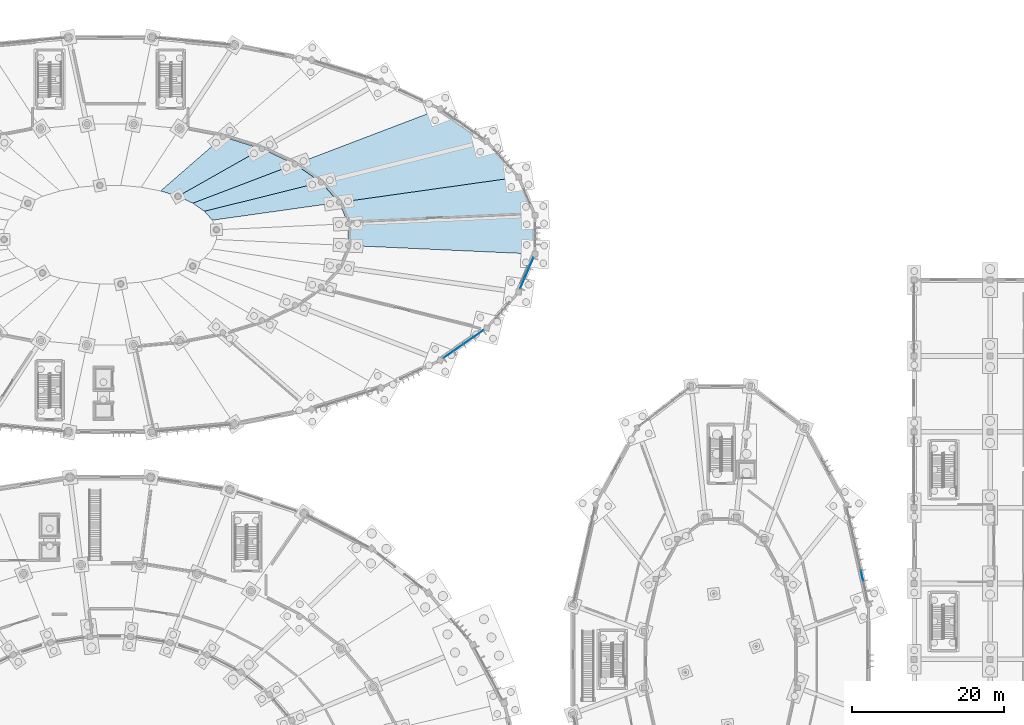
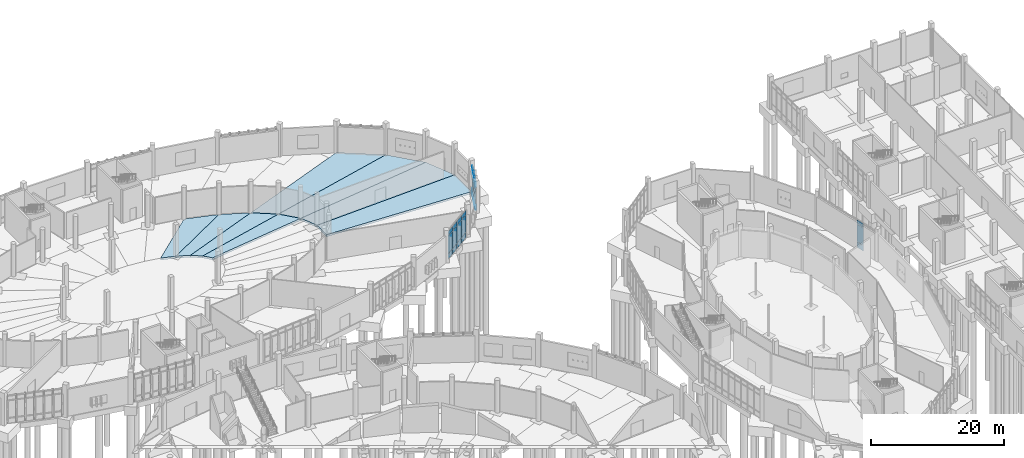
# One storey, part 69 of 140: 24 plates, 8 slabs, 3 elements without a shape of their own.
"""IFC4 building model written with IfcOpenShell, lengths in metres."""

from ifc_helpers import new_model, si_unit, direction, frame, origin, origin_2d, place, context, subcontext, project, spatial, polyline, rectangle, outline, extrude, material, layer, layer_set, type_object, element, aggregate, save


model = new_model("IFC4")

# Units and contexts
model_context = context("Model", 3, precision=1e-05, world=origin(), true_north=direction((0.0, 1.0)))
body_context = subcontext(model_context, "Body", "Model", "MODEL_VIEW")
ifc_project = project(units=[si_unit("LENGTHUNIT", "METRE"), si_unit("AREAUNIT", "SQUARE_METRE"), si_unit("VOLUMEUNIT", "CUBIC_METRE"), si_unit("PLANEANGLEUNIT", "RADIAN"), si_unit("MASSUNIT", "GRAM", prefix="KILO")], contexts=[model_context])

# Site, building, storey
site_placement = place(None, origin())
site = spatial("IfcSite", under=ifc_project, at=site_placement, CompositionType="ELEMENT")
building_placement = place(site_placement, origin())
building = spatial("IfcBuilding", under=site, at=building_placement, Name="Corvandel Quay Wholesale Market", CompositionType="ELEMENT")
storey_placement = place(building_placement, origin())
storey = spatial("IfcBuildingStorey", under=building, at=storey_placement, Name="L00", CompositionType="ELEMENT", Elevation=0.0)

# Curtain wall, plates
ifc_material_1 = material(Name="Bronze anodised aluminium and low-E insulated glazing", Category="aluminium")
ifc_layer_1 = layer(ifc_material_1, 0.18603515625)
ifc_layer_set_1 = layer_set([ifc_layer_1], Name="Bronze anodised aluminium and low-E insulated glazing")
curtain_wall_type_1 = type_object("IfcCurtainWallType", Name="Stick Curtain Wall System CW03 H3270", PredefinedType="NOTDEFINED", material=ifc_layer_set_1)
curtain_wall_1_placement = place(storey_placement, origin())
curtain_wall_1 = element("IfcCurtainWall", 1, at=curtain_wall_1_placement, inside=storey, type_object=curtain_wall_type_1, Name="Curtain Wall CW-0126", PredefinedType="NOTDEFINED")
ifc_material_2 = material(Name="Solar-control low-E insulated glazing", Category="glass")
ifc_layer_2 = layer(ifc_material_2, 0.033935546875)
ifc_layer_set_2 = layer_set([ifc_layer_2], Name="Solar-control low-E insulated glazing")
plate_type_1 = type_object("IfcPlateType", Name="Acoustic Laminated Vision Panel PN02 34mm", PredefinedType="CURTAIN_PANEL", material=ifc_layer_set_2)
plate_1_placement = place(storey_placement, frame((158.5966796875, 100.189208984375, 0.0322265625), z_axis=(0.0, 0.0, 1.0), x_axis=(0.821248804935, 0.570570241419, 0.0)))
plate_1 = element("IfcPlate", 2, at=plate_1_placement, type_object=plate_type_1, Name="Glazing Panel CW-0126-P00-0", PredefinedType="CURTAIN_PANEL", context=body_context, shape_type="SweptSolid", body=[
    extrude(rectangle(XDim=1.53076171875, YDim=0.033935546875, at=origin_2d()), origin(), (0.0, 0.0, 1.0), 0.985107421875),
])
plate_2_placement = place(storey_placement, frame((158.5966796875, 100.189208984375, 1.08251953125), z_axis=(0.0, 0.0, 1.0), x_axis=(0.821248804935, 0.570570241419, 0.0)))
plate_2 = element("IfcPlate", 3, at=plate_2_placement, type_object=plate_type_1, Name="Glazing Panel CW-0126-P00-1", PredefinedType="CURTAIN_PANEL", context=body_context, shape_type="SweptSolid", body=[
    extrude(rectangle(XDim=1.53076171875, YDim=0.033935546875, at=origin_2d()), origin(), (0.0, 0.0, 1.0), 3.18505859375),
])
plate_3_placement = place(storey_placement, frame((159.9072265625, 101.099853515625, 0.0322265625), z_axis=(0.0, 0.0, 1.0), x_axis=(0.821248804935, 0.570570241419, 0.0)))
plate_3 = element("IfcPlate", 4, at=plate_3_placement, type_object=plate_type_1, Name="Glazing Panel CW-0126-P01-0", PredefinedType="CURTAIN_PANEL", context=body_context, shape_type="SweptSolid", body=[
    extrude(rectangle(XDim=1.53076171875, YDim=0.033935546875, at=origin_2d()), origin(), (0.0, 0.0, 1.0), 0.985107421875),
])
plate_4_placement = place(storey_placement, frame((159.9072265625, 101.099853515625, 1.08251953125), z_axis=(0.0, 0.0, 1.0), x_axis=(0.821248804935, 0.570570241419, 0.0)))
plate_4 = element("IfcPlate", 5, at=plate_4_placement, type_object=plate_type_1, Name="Glazing Panel CW-0126-P01-1", PredefinedType="CURTAIN_PANEL", context=body_context, shape_type="SweptSolid", body=[
    extrude(rectangle(XDim=1.53076171875, YDim=0.033935546875, at=origin_2d()), origin(), (0.0, 0.0, 1.0), 3.18505859375),
])
plate_5_placement = place(storey_placement, frame((161.2177734375, 102.01025390625, 0.0322265625), z_axis=(0.0, 0.0, 1.0), x_axis=(0.821248804935, 0.570570241419, 0.0)))
plate_5 = element("IfcPlate", 6, at=plate_5_placement, type_object=plate_type_1, Name="Glazing Panel CW-0126-P02-0", PredefinedType="CURTAIN_PANEL", context=body_context, shape_type="SweptSolid", body=[
    extrude(rectangle(XDim=1.53076171875, YDim=0.033935546875, at=origin_2d()), origin(), (0.0, 0.0, 1.0), 0.985107421875),
])
plate_6_placement = place(storey_placement, frame((161.2177734375, 102.01025390625, 1.08251953125), z_axis=(0.0, 0.0, 1.0), x_axis=(0.821248804935, 0.570570241419, 0.0)))
plate_6 = element("IfcPlate", 7, at=plate_6_placement, type_object=plate_type_1, Name="Glazing Panel CW-0126-P02-1", PredefinedType="CURTAIN_PANEL", context=body_context, shape_type="SweptSolid", body=[
    extrude(rectangle(XDim=1.53076171875, YDim=0.033935546875, at=origin_2d()), origin(), (0.0, 0.0, 1.0), 3.18505859375),
])
plate_7_placement = place(storey_placement, frame((162.5283203125, 102.920654296875, 0.0322265625), z_axis=(0.0, 0.0, 1.0), x_axis=(0.821248804935, 0.570570241419, 0.0)))
plate_7 = element("IfcPlate", 8, at=plate_7_placement, type_object=plate_type_1, Name="Glazing Panel CW-0126-P03-0", PredefinedType="CURTAIN_PANEL", context=body_context, shape_type="SweptSolid", body=[
    extrude(rectangle(XDim=1.53076171875, YDim=0.033935546875, at=origin_2d()), origin(), (0.0, 0.0, 1.0), 0.985107421875),
])
plate_8_placement = place(storey_placement, frame((162.5283203125, 102.920654296875, 1.08251953125), z_axis=(0.0, 0.0, 1.0), x_axis=(0.821248804935, 0.570570241419, 0.0)))
plate_8 = element("IfcPlate", 9, at=plate_8_placement, type_object=plate_type_1, Name="Glazing Panel CW-0126-P03-1", PredefinedType="CURTAIN_PANEL", context=body_context, shape_type="SweptSolid", body=[
    extrude(rectangle(XDim=1.53076171875, YDim=0.033935546875, at=origin_2d()), origin(), (0.0, 0.0, 1.0), 3.18505859375),
])

ifc_layer_3 = layer(ifc_material_1, 0.14990234375)
ifc_layer_set_3 = layer_set([ifc_layer_3], Name="Bronze anodised aluminium and low-E insulated glazing")
curtain_wall_type_2 = type_object("IfcCurtainWallType", Name="Stick Curtain Wall System CW05 H3450", PredefinedType="NOTDEFINED", material=ifc_layer_set_3)
curtain_wall_2_placement = place(storey_placement, origin())
curtain_wall_2 = element("IfcCurtainWall", 10, at=curtain_wall_2_placement, inside=storey, type_object=curtain_wall_type_2, Name="Curtain Wall CW-0128", PredefinedType="NOTDEFINED")
plate_9_placement = place(storey_placement, frame((168.348388671875, 109.583984375, 0.0322265625), z_axis=(0.0, 0.0, 1.0), x_axis=(0.393781484212, 0.919204081089, 0.0)))
plate_9 = element("IfcPlate", 11, at=plate_9_placement, type_object=plate_type_1, Name="Glazing Panel CW-0128-P00-0", PredefinedType="CURTAIN_PANEL", context=body_context, shape_type="SweptSolid", body=[
    extrude(rectangle(XDim=1.396484375, YDim=0.033935546875, at=origin_2d()), origin(), (0.0, 0.0, 1.0), 0.985107421875),
])
plate_10_placement = place(storey_placement, frame((168.348388671875, 109.583984375, 1.08251953125), z_axis=(0.0, 0.0, 1.0), x_axis=(0.393781484212, 0.919204081089, 0.0)))
plate_10 = element("IfcPlate", 12, at=plate_10_placement, type_object=plate_type_1, Name="Glazing Panel CW-0128-P00-1", PredefinedType="CURTAIN_PANEL", context=body_context, shape_type="SweptSolid", body=[
    extrude(rectangle(XDim=1.396484375, YDim=0.033935546875, at=origin_2d()), origin(), (0.0, 0.0, 1.0), 3.18505859375),
])
plate_11_placement = place(storey_placement, frame((168.924072265625, 110.927490234375, 0.0322265625), z_axis=(0.0, 0.0, 1.0), x_axis=(0.393781484212, 0.919204081089, 0.0)))
plate_11 = element("IfcPlate", 13, at=plate_11_placement, type_object=plate_type_1, Name="Glazing Panel CW-0128-P01-0", PredefinedType="CURTAIN_PANEL", context=body_context, shape_type="SweptSolid", body=[
    extrude(rectangle(XDim=1.396484375, YDim=0.033935546875, at=origin_2d()), origin(), (0.0, 0.0, 1.0), 0.985107421875),
])
plate_12_placement = place(storey_placement, frame((168.924072265625, 110.927490234375, 1.08251953125), z_axis=(0.0, 0.0, 1.0), x_axis=(0.393781484212, 0.919204081089, 0.0)))
plate_12 = element("IfcPlate", 14, at=plate_12_placement, type_object=plate_type_1, Name="Glazing Panel CW-0128-P01-1", PredefinedType="CURTAIN_PANEL", context=body_context, shape_type="SweptSolid", body=[
    extrude(rectangle(XDim=1.396484375, YDim=0.033935546875, at=origin_2d()), origin(), (0.0, 0.0, 1.0), 3.18505859375),
])
plate_13_placement = place(storey_placement, frame((169.49951171875, 112.27099609375, 0.0322265625), z_axis=(0.0, 0.0, 1.0), x_axis=(0.393781484212, 0.919204081089, 0.0)))
plate_13 = element("IfcPlate", 15, at=plate_13_placement, type_object=plate_type_1, Name="Glazing Panel CW-0128-P02-0", PredefinedType="CURTAIN_PANEL", context=body_context, shape_type="SweptSolid", body=[
    extrude(rectangle(XDim=1.396484375, YDim=0.033935546875, at=origin_2d()), origin(), (0.0, 0.0, 1.0), 0.985107421875),
])
plate_14_placement = place(storey_placement, frame((169.49951171875, 112.27099609375, 1.08251953125), z_axis=(0.0, 0.0, 1.0), x_axis=(0.393781484212, 0.919204081089, 0.0)))
plate_14 = element("IfcPlate", 16, at=plate_14_placement, type_object=plate_type_1, Name="Glazing Panel CW-0128-P02-1", PredefinedType="CURTAIN_PANEL", context=body_context, shape_type="SweptSolid", body=[
    extrude(rectangle(XDim=1.396484375, YDim=0.033935546875, at=origin_2d()), origin(), (0.0, 0.0, 1.0), 3.18505859375),
])

# Plate
ifc_layer_4 = layer(ifc_material_2, 0.0400390625)
ifc_layer_set_4 = layer_set([ifc_layer_4], Name="Solar-control low-E insulated glazing")
plate_type_2 = type_object("IfcPlateType", Name="Ceramic Fritted Spandrel Panel PN03 40mm", PredefinedType="CURTAIN_PANEL", material=ifc_layer_set_4)
plate_15_placement = place(storey_placement, frame((158.5966796875, 100.189208984375, 4.33251953125), z_axis=(0.0, 0.0, 1.0), x_axis=(0.821248804935, 0.570570241419, 0.0)))
plate_15 = element("IfcPlate", 17, at=plate_15_placement, type_object=plate_type_2, Name="Glazing Panel CW-0126-P00-2", PredefinedType="CURTAIN_PANEL", context=body_context, shape_type="SweptSolid", body=[
    extrude(rectangle(XDim=1.53076171875, YDim=0.0400390625, at=origin_2d()), origin(), (0.0, 0.0, 1.0), 0.784912109375),
])

plate_16_placement = place(storey_placement, frame((159.9072265625, 101.099853515625, 4.33251953125), z_axis=(0.0, 0.0, 1.0), x_axis=(0.821248804935, 0.570570241419, 0.0)))
plate_16 = element("IfcPlate", 18, at=plate_16_placement, type_object=plate_type_2, Name="Glazing Panel CW-0126-P01-2", PredefinedType="CURTAIN_PANEL", context=body_context, shape_type="SweptSolid", body=[
    extrude(rectangle(XDim=1.53076171875, YDim=0.0400390625, at=origin_2d()), origin(), (0.0, 0.0, 1.0), 0.784912109375),
])

plate_17_placement = place(storey_placement, frame((161.2177734375, 102.01025390625, 4.33251953125), z_axis=(0.0, 0.0, 1.0), x_axis=(0.821248804935, 0.570570241419, 0.0)))
plate_17 = element("IfcPlate", 19, at=plate_17_placement, type_object=plate_type_2, Name="Glazing Panel CW-0126-P02-2", PredefinedType="CURTAIN_PANEL", context=body_context, shape_type="SweptSolid", body=[
    extrude(rectangle(XDim=1.53076171875, YDim=0.0400390625, at=origin_2d()), origin(), (0.0, 0.0, 1.0), 0.784912109375),
])

plate_18_placement = place(storey_placement, frame((162.5283203125, 102.920654296875, 4.33251953125), z_axis=(0.0, 0.0, 1.0), x_axis=(0.821248804935, 0.570570241419, 0.0)))
plate_18 = element("IfcPlate", 20, at=plate_18_placement, type_object=plate_type_2, Name="Glazing Panel CW-0126-P03-2", PredefinedType="CURTAIN_PANEL", context=body_context, shape_type="SweptSolid", body=[
    extrude(rectangle(XDim=1.53076171875, YDim=0.0400390625, at=origin_2d()), origin(), (0.0, 0.0, 1.0), 0.784912109375),
])

aggregate(curtain_wall_1, [plate_1, plate_2, plate_15, plate_3, plate_4, plate_16, plate_5, plate_6, plate_17, plate_7, plate_8, plate_18])

plate_19_placement = place(storey_placement, frame((168.348388671875, 109.583984375, 4.33251953125), z_axis=(0.0, 0.0, 1.0), x_axis=(0.393781484212, 0.919204081089, 0.0)))
plate_19 = element("IfcPlate", 21, at=plate_19_placement, type_object=plate_type_2, Name="Glazing Panel CW-0128-P00-2", PredefinedType="CURTAIN_PANEL", context=body_context, shape_type="SweptSolid", body=[
    extrude(rectangle(XDim=1.396484375, YDim=0.0400390625, at=origin_2d()), origin(), (0.0, 0.0, 1.0), 0.784912109375),
])

plate_20_placement = place(storey_placement, frame((168.924072265625, 110.927490234375, 4.33251953125), z_axis=(0.0, 0.0, 1.0), x_axis=(0.393781484212, 0.919204081089, 0.0)))
plate_20 = element("IfcPlate", 22, at=plate_20_placement, type_object=plate_type_2, Name="Glazing Panel CW-0128-P01-2", PredefinedType="CURTAIN_PANEL", context=body_context, shape_type="SweptSolid", body=[
    extrude(rectangle(XDim=1.396484375, YDim=0.0400390625, at=origin_2d()), origin(), (0.0, 0.0, 1.0), 0.784912109375),
])

plate_21_placement = place(storey_placement, frame((169.49951171875, 112.27099609375, 4.33251953125), z_axis=(0.0, 0.0, 1.0), x_axis=(0.393781484212, 0.919204081089, 0.0)))
plate_21 = element("IfcPlate", 23, at=plate_21_placement, type_object=plate_type_2, Name="Glazing Panel CW-0128-P02-2", PredefinedType="CURTAIN_PANEL", context=body_context, shape_type="SweptSolid", body=[
    extrude(rectangle(XDim=1.396484375, YDim=0.0400390625, at=origin_2d()), origin(), (0.0, 0.0, 1.0), 0.784912109375),
])

aggregate(curtain_wall_2, [plate_9, plate_10, plate_19, plate_11, plate_12, plate_20, plate_13, plate_14, plate_21])

# Curtain wall, plates
ifc_layer_5 = layer(ifc_material_1, 0.174072265625)
ifc_layer_set_5 = layer_set([ifc_layer_5], Name="Bronze anodised aluminium and low-E insulated glazing")
curtain_wall_type_3 = type_object("IfcCurtainWallType", Name="Stick Curtain Wall System CW02 H3180", PredefinedType="NOTDEFINED", material=ifc_layer_set_5)
curtain_wall_3_placement = place(storey_placement, origin())
curtain_wall_3 = element("IfcCurtainWall", 24, at=curtain_wall_3_placement, inside=storey, type_object=curtain_wall_type_3, Name="Curtain Wall CW-0130", PredefinedType="NOTDEFINED")
plate_22_placement = place(storey_placement, frame((213.13623046875, 71.009765625, 4.33251953125), z_axis=(0.0, 0.0, 1.0), x_axis=(-0.218994806262, 0.975726024471, 0.0)))
plate_22 = element("IfcPlate", 25, at=plate_22_placement, type_object=plate_type_2, Name="Glazing Panel CW-0130-P02-2", PredefinedType="CURTAIN_PANEL", context=body_context, shape_type="SweptSolid", body=[
    extrude(rectangle(XDim=1.352783203125, YDim=0.0400390625, at=origin_2d()), origin(), (0.0, 0.0, 1.0), 0.784912109375),
])
ifc_layer_6 = layer(ifc_material_2, 0.028076171875)
ifc_layer_set_6 = layer_set([ifc_layer_6], Name="Solar-control low-E insulated glazing")
plate_type_3 = type_object("IfcPlateType", Name="Double Low-E Vision Panel PN01 28mm", PredefinedType="CURTAIN_PANEL", material=ifc_layer_set_6)
plate_23_placement = place(storey_placement, frame((213.13623046875, 71.009765625, 0.0322265625), z_axis=(0.0, 0.0, 1.0), x_axis=(-0.218994806262, 0.975726024471, 0.0)))
plate_23 = element("IfcPlate", 26, at=plate_23_placement, type_object=plate_type_3, Name="Glazing Panel CW-0130-P02-0", PredefinedType="CURTAIN_PANEL", context=body_context, shape_type="SweptSolid", body=[
    extrude(rectangle(XDim=1.352783203125, YDim=0.028076171875, at=origin_2d()), origin(), (0.0, 0.0, 1.0), 0.985107421875),
])
plate_24_placement = place(storey_placement, frame((213.13623046875, 71.009765625, 1.08251953125), z_axis=(0.0, 0.0, 1.0), x_axis=(-0.218994806262, 0.975726024471, 0.0)))
plate_24 = element("IfcPlate", 27, at=plate_24_placement, type_object=plate_type_3, Name="Glazing Panel CW-0130-P02-1", PredefinedType="CURTAIN_PANEL", context=body_context, shape_type="SweptSolid", body=[
    extrude(rectangle(XDim=1.352783203125, YDim=0.028076171875, at=origin_2d()), origin(), (0.0, 0.0, 1.0), 3.18505859375),
])
aggregate(curtain_wall_3, [plate_23, plate_24, plate_22])

# Slabs
ifc_material_3 = material(Name="Concrete C40/50", Category="concrete")
ifc_layer_7 = layer(ifc_material_3, 0.3798828125)
ifc_layer_set_7 = layer_set([ifc_layer_7], Name="Concrete C40/50")
slab_type = type_object("IfcSlabType", Name="Ground Bearing Fish Hall Slab 380", PredefinedType="BASESLAB", material=ifc_layer_set_7)
slab_1_placement = place(storey_placement, frame((0.0, 0.0, -0.3798828125)))
element("IfcSlab", 28, at=slab_1_placement, inside=storey, type_object=slab_type, Name="Slab SLB-0210", PredefinedType="BASESLAB", context=body_context, shape_type="SweptSolid", body=[
    extrude(outline(polyline([(170.0, 118.56103515625), (167.847900390625, 123.583984375), (144.155029296875, 120.2470703125), (145.360107421875, 117.43408203125), (170.0, 118.56103515625)])), origin(), (0.0, 0.0, 1.0), 0.3798828125),
])
slab_2_placement = place(storey_placement, frame((0.0, 0.0, -0.3798828125)))
element("IfcSlab", 29, at=slab_2_placement, inside=storey, type_object=slab_type, Name="Slab SLB-0214", PredefinedType="BASESLAB", context=body_context, shape_type="SweptSolid", body=[
    extrude(outline(polyline([(167.847900390625, 123.583984375), (163.626953125, 128.31591796875), (141.791015625, 122.89697265625), (144.155029296875, 120.2470703125), (167.847900390625, 123.583984375)])), origin(), (0.0, 0.0, 1.0), 0.3798828125),
])
slab_3_placement = place(storey_placement, frame((0.0, 0.0, -0.3798828125)))
element("IfcSlab", 30, at=slab_3_placement, inside=storey, type_object=slab_type, Name="Slab SLB-0215", PredefinedType="BASESLAB", context=body_context, shape_type="SweptSolid", body=[
    extrude(outline(polyline([(144.155029296875, 120.2470703125), (141.791015625, 122.89697265625), (126.406982421875, 119.0791015625), (127.4619140625, 117.89599609375), (144.155029296875, 120.2470703125)])), origin(), (0.0, 0.0, 1.0), 0.3798828125),
])
slab_4_placement = place(storey_placement, frame((0.0, 0.0, -0.3798828125)))
element("IfcSlab", 31, at=slab_4_placement, inside=storey, type_object=slab_type, Name="Slab SLB-0218", PredefinedType="BASESLAB", context=body_context, shape_type="SweptSolid", body=[
    extrude(outline(polyline([(163.626953125, 128.31591796875), (157.498046875, 132.573974609375), (138.35888671875, 125.281005859375), (141.791015625, 122.89697265625), (163.626953125, 128.31591796875)])), origin(), (0.0, 0.0, 1.0), 0.3798828125),
])
slab_5_placement = place(storey_placement, frame((0.0, 0.0, -0.3798828125)))
element("IfcSlab", 32, at=slab_5_placement, inside=storey, type_object=slab_type, Name="Slab SLB-0219", PredefinedType="BASESLAB", context=body_context, shape_type="SweptSolid", body=[
    extrude(outline(polyline([(141.791015625, 122.89697265625), (138.35888671875, 125.281005859375), (124.875, 120.14404296875), (126.406982421875, 119.0791015625), (141.791015625, 122.89697265625)])), origin(), (0.0, 0.0, 1.0), 0.3798828125),
])
slab_6_placement = place(storey_placement, frame((0.0, 0.0, -0.3798828125)))
element("IfcSlab", 33, at=slab_6_placement, inside=storey, type_object=slab_type, Name="Slab SLB-0223", PredefinedType="BASESLAB", context=body_context, shape_type="SweptSolid", body=[
    extrude(outline(polyline([(138.35888671875, 125.281005859375), (133.990966796875, 127.30908203125), (122.924072265625, 121.049072265625), (124.875, 120.14404296875), (138.35888671875, 125.281005859375)])), origin(), (0.0, 0.0, 1.0), 0.3798828125),
])
slab_7_placement = place(storey_placement, frame((0.0, 0.0, -0.3798828125)))
element("IfcSlab", 34, at=slab_7_placement, inside=storey, type_object=slab_type, Name="Slab SLB-0227", PredefinedType="BASESLAB", context=body_context, shape_type="SweptSolid", body=[
    extrude(outline(polyline([(133.990966796875, 127.30908203125), (128.85498046875, 128.903076171875), (120.631103515625, 121.760009765625), (122.924072265625, 121.049072265625), (133.990966796875, 127.30908203125)])), origin(), (0.0, 0.0, 1.0), 0.3798828125),
])
slab_8_placement = place(storey_placement, frame((0.0, 0.0, -0.3798828125)))
element("IfcSlab", 35, at=slab_8_placement, inside=storey, type_object=slab_type, Name="Slab SLB-0376", PredefinedType="BASESLAB", context=body_context, shape_type="SweptSolid", body=[
    extrude(outline(polyline([(170.0, 113.43896484375), (170.0, 118.56103515625), (145.360107421875, 117.43408203125), (145.360107421875, 114.56591796875), (170.0, 113.43896484375)])), origin(), (0.0, 0.0, 1.0), 0.3798828125),
])

save(model, "model.ifc")
